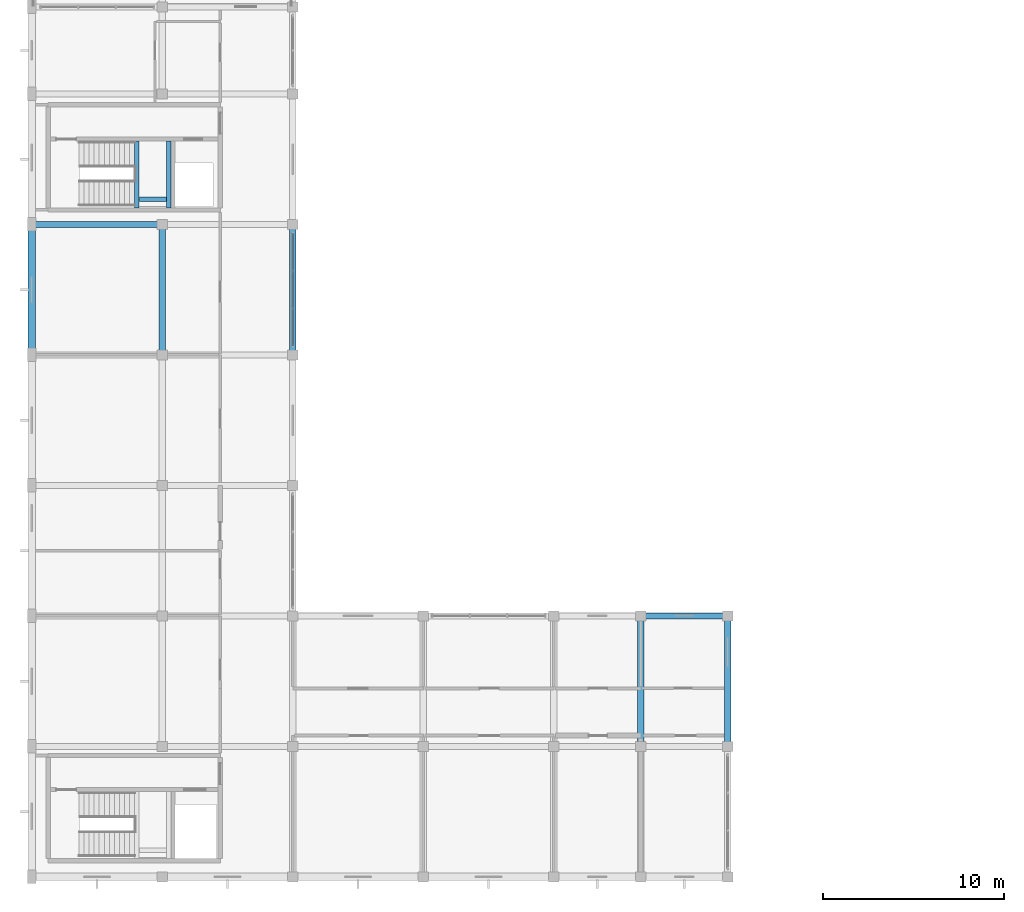
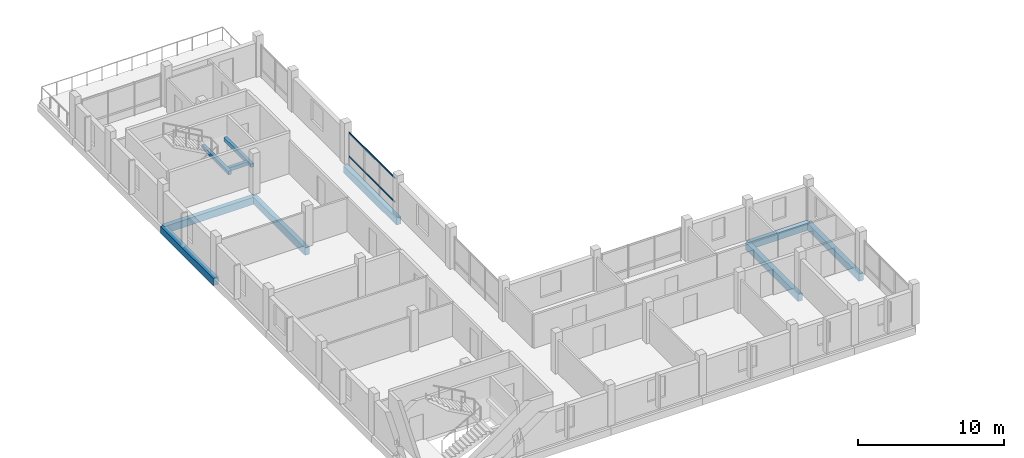
# One storey, part 12 of 66: 10 beams, 2 members, 1 element without a shape of its own.
"""IFC4 building model written with IfcOpenShell, lengths in metres."""

from ifc_helpers import new_model, si_unit, direction, frame, origin, origin_2d, place, context, subcontext, project, spatial, rectangle, hollow_rectangle, extrude, material, material_profile, profile_set, type_object, element, aggregate, save


model = new_model("IFC4")

# Units and contexts
model_context = context("Model", 3, precision=1e-05, world=origin(), true_north=direction((0.0, 1.0)))
body_context = subcontext(model_context, "Body", "Model", "MODEL_VIEW")
ifc_project = project(units=[si_unit("LENGTHUNIT", "METRE"), si_unit("AREAUNIT", "SQUARE_METRE"), si_unit("VOLUMEUNIT", "CUBIC_METRE"), si_unit("PLANEANGLEUNIT", "RADIAN"), si_unit("MASSUNIT", "GRAM", prefix="KILO")], contexts=[model_context])

# Site, building, storey
site_placement = place(None, origin())
site = spatial("IfcSite", under=ifc_project, at=site_placement, CompositionType="ELEMENT")
building_placement = place(site_placement, origin())
building = spatial("IfcBuilding", under=site, at=building_placement, Name="Zornivar Specialist Clinic", CompositionType="ELEMENT")
storey_placement = place(building_placement, frame((0.0, 0.0, 16.0)))
storey = spatial("IfcBuildingStorey", under=building, at=storey_placement, Name="L04", CompositionType="ELEMENT", Elevation=16.0)

# Beams
ifc_material_1 = material(Name="Concrete C30/37", Category="concrete")
ifc_material_profile_1 = material_profile(ifc_material_1, rectangle(XDim=0.25, YDim=0.300048828125, at=origin_2d()), Name="RC 250x300")
ifc_profile_set_1 = profile_set([ifc_material_profile_1], Name="Concrete C30/37")
beam_type_1 = type_object("IfcBeamType", Name="BM-LAND-250x300", PredefinedType="BEAM", material=ifc_profile_set_1)
for number, where, z_axis, x_axis, name in (
    (1, (5.800048828125, 36.919921875, 1.52001953125), (0.0, 1.0, 0.0), (-1.0, 0.0, 0.0), "bm:stair:C2:L04:lW"),
    (2, (7.56005859375, 36.919921875, 1.52001953125), (0.0, 1.0, 0.0), (-1.0, 0.0, 0.0), "bm:stair:C2:L04:lE"),
):
    element("IfcBeam", number, at=place(storey_placement, frame(where, z_axis=z_axis, x_axis=x_axis)), inside=storey, type_object=beam_type_1, Name=name, PredefinedType="BEAM", context=body_context, shape_type="SweptSolid", body=[
        extrude(rectangle(XDim=0.25, YDim=0.300048828125, at=origin_2d()), origin(), (0.0, 0.0, 1.0), 3.68017578125),
    ])
beam_1_placement = place(storey_placement, frame((5.93505859375, 37.3798828125, 1.52001953125), z_axis=(1.0, 0.0, 0.0), x_axis=(0.0, 1.0, 0.0)))
element("IfcBeam", 3, at=beam_1_placement, inside=storey, type_object=beam_type_1, Name="bm:stair:C2:L04:lS", PredefinedType="BEAM", context=body_context, shape_type="SweptSolid", body=[
    extrude(rectangle(XDim=0.25, YDim=0.300048828125, at=origin_2d()), origin(), (0.0, 0.0, 1.0), 1.489990234375),
])
ifc_material_2 = material(Name="Concrete C30/37", Category="concrete")
ifc_material_profile_2 = material_profile(ifc_material_2, rectangle(XDim=0.35009765625, YDim=0.60009765625, at=origin_2d()), Name="RC 350x600")
ifc_profile_set_2 = profile_set([ifc_material_profile_2], Name="Concrete C30/37")
beam_type_2 = type_object("IfcBeamType", Name="BM-RC-350x600", PredefinedType="BEAM", material=ifc_profile_set_2)
beam_2_placement = place(storey_placement, frame((33.60009765625, 14.39990234375, -0.580078125), z_axis=(1.0, 0.0, 0.0), x_axis=(0.0, 1.0, 0.0)))
element("IfcBeam", 4, at=beam_2_placement, inside=storey, type_object=beam_type_2, Name="bm:V2:L04:x:144:5", PredefinedType="BEAM", context=body_context, shape_type="SweptSolid", body=[
    extrude(rectangle(XDim=0.35009765625, YDim=0.60009765625, at=origin_2d()), origin(), (0.0, 0.0, 1.0), 4.7998046875),
])
for number, where, z_axis, x_axis, name in (
    (5, (0.0, 36.0, -0.580078125), (1.0, 0.0, 0.0), (0.0, 1.0, 0.0), "bm:V2:L04:x:360:0"),
    (6, (7.199951171875, 28.800048828125, -0.580078125), (0.0, 1.0, 0.0), (-1.0, 0.0, 0.0), "bm:V2:L04:y:72:4"),
    (7, (14.39990234375, 28.800048828125, -0.580078125), (0.0, 1.0, 0.0), (-1.0, 0.0, 0.0), "bm:V2:L04:y:144:4"),
    (8, (33.60009765625, 7.199951171875, -0.580078125), (0.0, 1.0, 0.0), (-1.0, 0.0, 0.0), "bm:V2:L04:y:336:1"),
    (9, (38.39990234375, 7.199951171875, -0.580078125), (0.0, 1.0, 0.0), (-1.0, 0.0, 0.0), "bm:V2:L04:y:384:1"),
):
    element("IfcBeam", number, at=place(storey_placement, frame(where, z_axis=z_axis, x_axis=x_axis)), inside=storey, type_object=beam_type_2, Name=name, PredefinedType="BEAM", context=body_context, shape_type="SweptSolid", body=[
        extrude(rectangle(XDim=0.35009765625, YDim=0.60009765625, at=origin_2d()), origin(), (0.0, 0.0, 1.0), 7.199951171875),
    ])
ifc_material_3 = material(Name="Concrete C30/37", Category="concrete")
ifc_material_profile_3 = material_profile(ifc_material_3, rectangle(XDim=0.409912109375, YDim=0.60009765625, at=origin_2d()), Name="RC 410x600")
ifc_profile_set_3 = profile_set([ifc_material_profile_3], Name="Concrete C30/37")
beam_type_3 = type_object("IfcBeamType", Name="BM-RC-SPANDREL-410x600", PredefinedType="SPANDREL", material=ifc_profile_set_3)
beam_3_placement = place(storey_placement, frame((0.0, 28.800048828125, -0.580078125), z_axis=(0.0, 1.0, 0.0), x_axis=(-1.0, 0.0, 0.0)))
element("IfcBeam", 10, at=beam_3_placement, inside=storey, type_object=beam_type_3, Name="bm:V2:L04:y:0:4", PredefinedType="SPANDREL", context=body_context, shape_type="SweptSolid", body=[
    extrude(rectangle(XDim=0.409912109375, YDim=0.60009765625, at=origin_2d()), origin(), (0.0, 0.0, 1.0), 7.199951171875),
])

# Curtain wall, members
ifc_material_4 = material(Name="Aluminium and Low-E Glass Curtain Wall", Category="aluminium")
curtain_wall_type = type_object("IfcCurtainWallType", Name="CW-REVAK-COURT", PredefinedType="NOTDEFINED", material=ifc_material_4)
curtain_wall_placement = place(storey_placement, origin())
curtain_wall = element("IfcCurtainWall", 11, at=curtain_wall_placement, inside=storey, type_object=curtain_wall_type, Name="cw:V2:L04:14", PredefinedType="NOTDEFINED")
ifc_material_5 = material(Name="Aluminium AW-6060", Category="aluminium")
ifc_material_profile_4 = material_profile(ifc_material_5, hollow_rectangle(XDim=0.06005859375, YDim=0.1298828125, WallThickness=0.00390625, at=origin_2d()), Name="ALU 60x130x4")
ifc_profile_set_4 = profile_set([ifc_material_profile_4], Name="Aluminium AW-6060")
member_type = type_object("IfcMemberType", Name="CWM-TRN-130", PredefinedType="USERDEFINED", material=ifc_profile_set_4)
member_1_placement = place(storey_placement, frame((14.39990234375, 29.280029296875, 0.718017578125), z_axis=(0.0, 1.0, 0.0), x_axis=(-1.0, 0.0, 0.0)))
member_1 = element("IfcMember", 12, at=member_1_placement, type_object=member_type, Name="cw:V2:L04:14:trn:0", ObjectType="TRANSOM", PredefinedType="USERDEFINED", context=body_context, shape_type="SweptSolid", body=[
    extrude(hollow_rectangle(XDim=0.06005859375, YDim=0.1298828125, WallThickness=0.00390625, at=origin_2d()), origin(), (0.0, 0.0, 1.0), 6.239990234375),
])
member_2_placement = place(storey_placement, frame((14.39990234375, 29.280029296875, 2.695068359375), z_axis=(0.0, 1.0, 0.0), x_axis=(-1.0, 0.0, 0.0)))
member_2 = element("IfcMember", 13, at=member_2_placement, type_object=member_type, Name="cw:V2:L04:14:trn:1", ObjectType="TRANSOM", PredefinedType="USERDEFINED", context=body_context, shape_type="SweptSolid", body=[
    extrude(hollow_rectangle(XDim=0.06005859375, YDim=0.1298828125, WallThickness=0.00390625, at=origin_2d()), origin(), (0.0, 0.0, 1.0), 6.239990234375),
])
aggregate(curtain_wall, [member_1, member_2])

save(model, "model.ifc")
